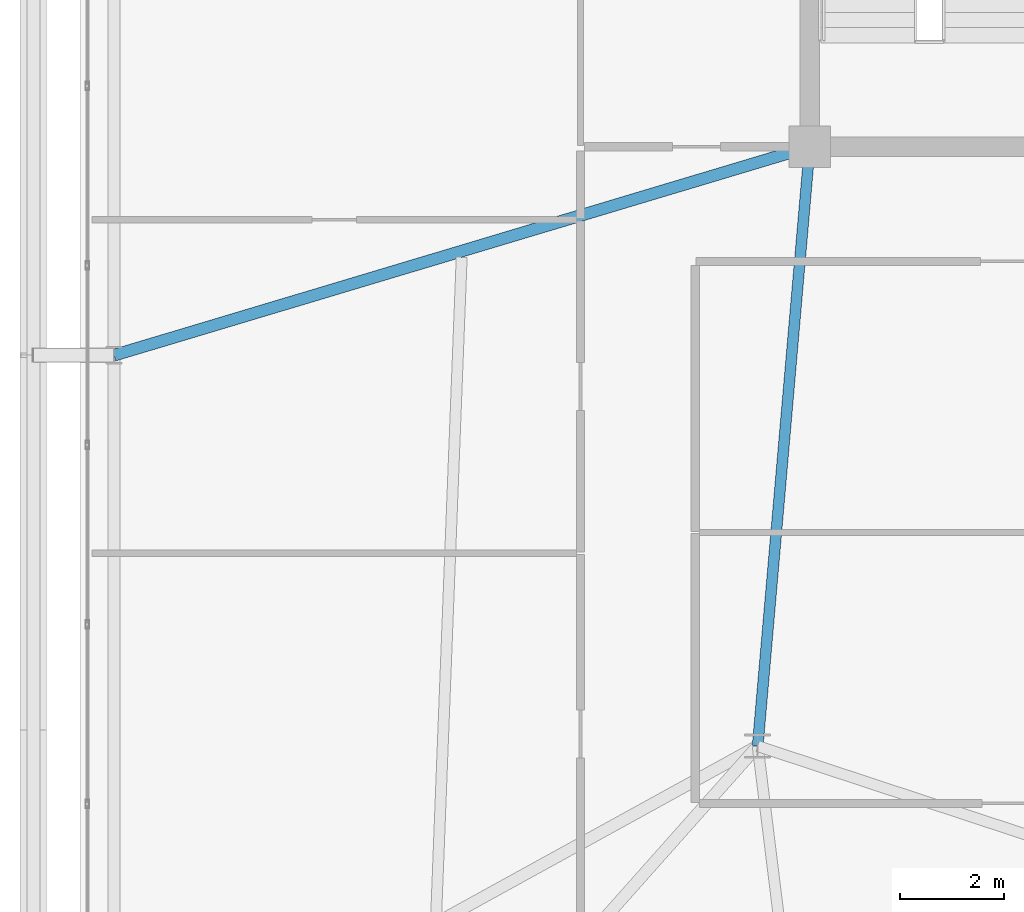
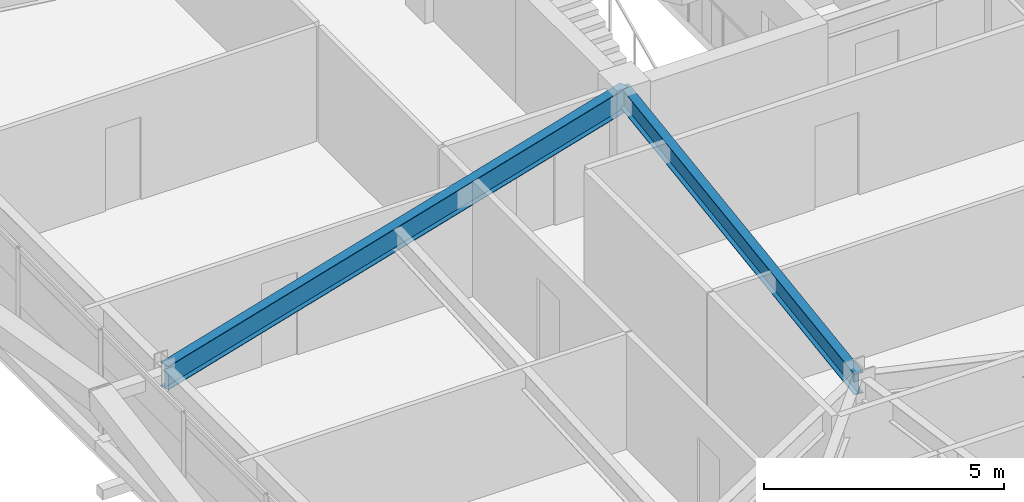
# One storey, part 15 of 59: 2 beams.
"""IFC4 building model written with IfcOpenShell, lengths in metres."""

from ifc_helpers import new_model, si_unit, direction, frame, origin, origin_2d, place, context, subcontext, project, spatial, i_section, extrude, source, transform, mapped, material, material_profile, profile_set, type_object, element, save


model = new_model("IFC4")

# Units and contexts
model_context = context("Model", 3, precision=1e-05, world=origin(), true_north=direction((0.0, 1.0)))
body_context = subcontext(model_context, "Body", "Model", "MODEL_VIEW")
ifc_project = project(units=[si_unit("LENGTHUNIT", "METRE"), si_unit("AREAUNIT", "SQUARE_METRE"), si_unit("VOLUMEUNIT", "CUBIC_METRE"), si_unit("PLANEANGLEUNIT", "RADIAN"), si_unit("MASSUNIT", "GRAM", prefix="KILO")], contexts=[model_context])

# Site, building, storey
site_placement = place(None, origin())
site = spatial("IfcSite", under=ifc_project, at=site_placement, CompositionType="ELEMENT")
building_placement = place(site_placement, origin())
building = spatial("IfcBuilding", under=site, at=building_placement, Name="Taldren Reach Tower", CompositionType="ELEMENT")
storey_placement = place(building_placement, frame((0.0, 0.0, 48.300048828125)))
storey = spatial("IfcBuildingStorey", under=building, at=storey_placement, Name="L14", CompositionType="ELEMENT", Elevation=48.300048828125)

# Beams
ifc_material = material(Name="Steel Gr 350 (350PLUS)", Category="steel")
ifc_material_profile_1 = material_profile(ifc_material, i_section(OverallWidth=0.208984375, OverallDepth=0.532958984375, WebThickness=0.01025390625, FlangeThickness=0.015625, at=origin_2d()), Name="530UB92.4")
ifc_profile_set_1 = profile_set([ifc_material_profile_1], Name="Steel Gr 350 (350PLUS)")
beam_type_1 = type_object("IfcBeamType", Name="BM-UB530A", PredefinedType="BEAM", material=ifc_profile_set_1)
shared_shape_1 = source(origin(), body_context, "Body", "SweptSolid", [
    extrude(i_section(OverallWidth=0.208984375, OverallDepth=0.532958984375, WebThickness=0.01025390625, FlangeThickness=0.015625, at=origin_2d()), origin(), (0.0, 0.0, 1.0), 11.54345703125),
])
beam_1_placement = place(storey_placement, frame((19.0, 24.0, 2.663330078125), z_axis=(-0.086629616365, -0.996240588196, 0.0), x_axis=(0.996240588196, -0.086629616365, 0.0)))
element("IfcBeam", 1, at=beam_1_placement, inside=storey, type_object=beam_type_1, Name="Core-spine girder L14-SP09", PredefinedType="BEAM", context=body_context, shape_type="MappedRepresentation", body=[
    mapped(shared_shape_1, transform((0.0, 0.0, 0.0), scale=1.0)),
])
ifc_material_profile_2 = material_profile(ifc_material, i_section(OverallWidth=0.22802734375, OverallDepth=0.60205078125, WebThickness=0.010498046875, FlangeThickness=0.014892578125, at=origin_2d()), Name="610UB101")
ifc_profile_set_2 = profile_set([ifc_material_profile_2], Name="Steel Gr 350 (350PLUS)")
beam_type_2 = type_object("IfcBeamType", Name="BM-UB610B", PredefinedType="BEAM", material=ifc_profile_set_2)
shared_shape_2 = source(origin(), body_context, "Body", "SweptSolid", [
    extrude(i_section(OverallWidth=0.22802734375, OverallDepth=0.60205078125, WebThickness=0.010498046875, FlangeThickness=0.014892578125, at=origin_2d()), origin(), (0.0, 0.0, 1.0), 13.9365234375),
])
beam_2_placement = place(storey_placement, frame((19.0, 24.0, 2.62890625), z_axis=(-0.957925550891, -0.287016792104, 0.0), x_axis=(0.287016792104, -0.957925550891, 0.0)))
element("IfcBeam", 2, at=beam_2_placement, inside=storey, type_object=beam_type_2, Name="Primary floor girder B1-W2 L14", PredefinedType="BEAM", context=body_context, shape_type="MappedRepresentation", body=[
    mapped(shared_shape_2, transform((0.0, 0.0, 0.0), scale=1.0)),
])

save(model, "model.ifc")
